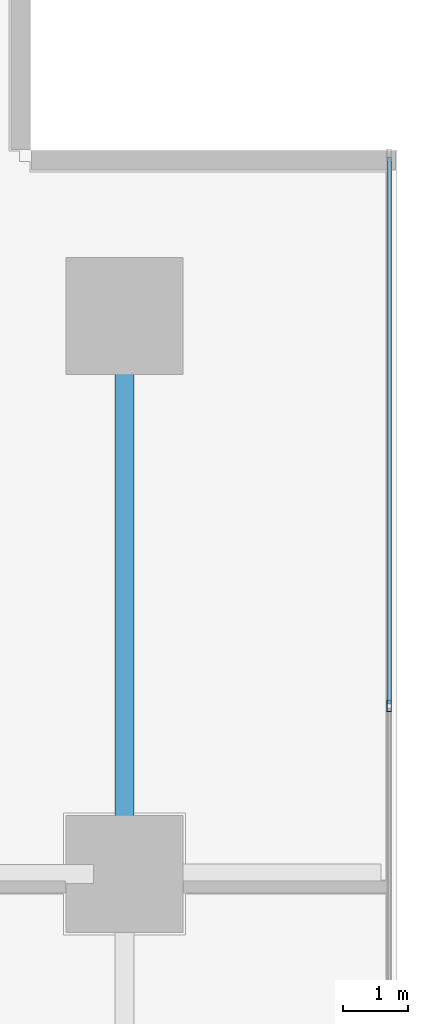
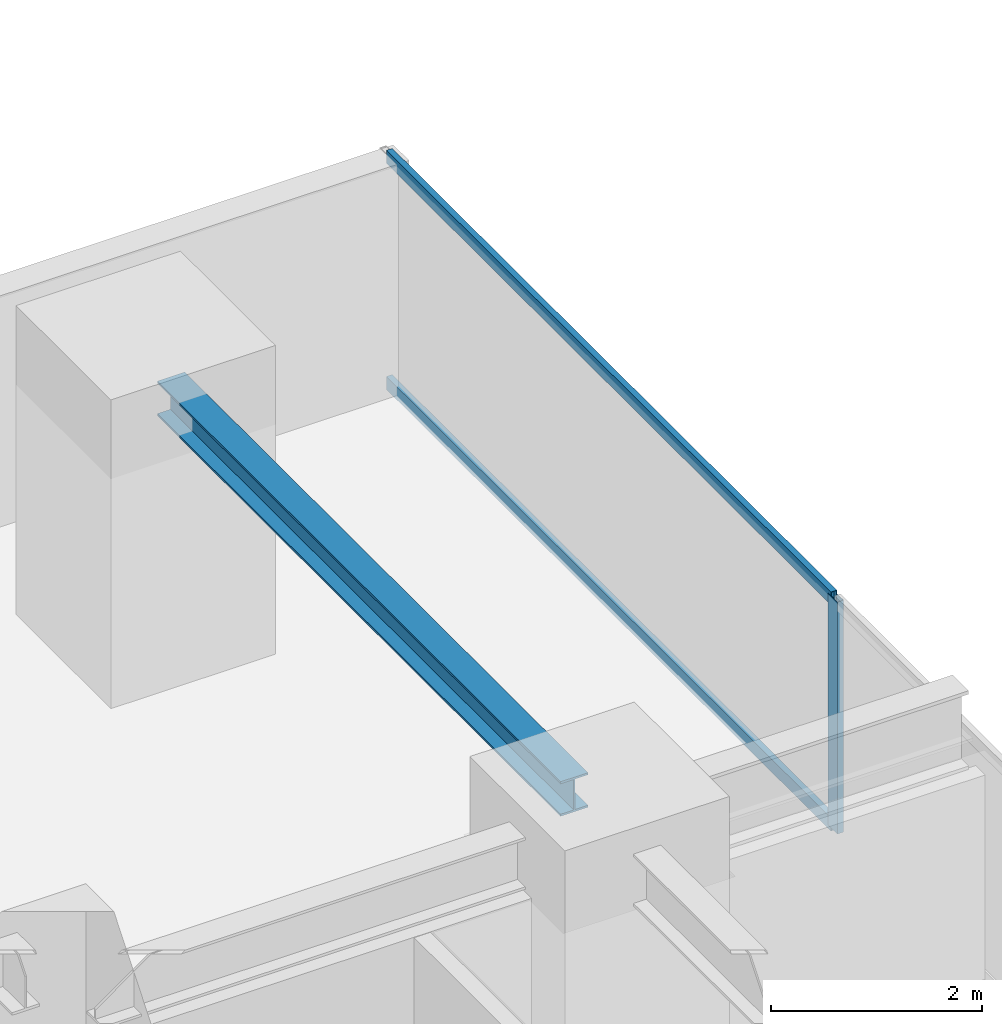
# One storey, part 21 of 33: 3 members, 1 beam, 1 element without a shape of its own.
"""IFC4 building model written with IfcOpenShell, lengths in metres."""

from ifc_helpers import new_model, si_unit, direction, frame, origin, origin_2d, place, context, subcontext, project, spatial, hollow_rectangle, i_section, extrude, source, transform, mapped, material, layer, layer_set, material_profile, profile_set, type_object, element, aggregate, save


model = new_model("IFC4")

# Units and contexts
model_context = context("Model", 3, precision=1e-05, world=origin(), true_north=direction((0.0, 1.0)))
body_context = subcontext(model_context, "Body", "Model", "MODEL_VIEW")
ifc_project = project(units=[si_unit("LENGTHUNIT", "METRE"), si_unit("AREAUNIT", "SQUARE_METRE"), si_unit("VOLUMEUNIT", "CUBIC_METRE"), si_unit("PLANEANGLEUNIT", "RADIAN"), si_unit("MASSUNIT", "GRAM", prefix="KILO")], contexts=[model_context])

# Site, building, storey
site_placement = place(None, origin())
site = spatial("IfcSite", under=ifc_project, at=site_placement, CompositionType="ELEMENT")
building_placement = place(site_placement, origin())
building = spatial("IfcBuilding", under=site, at=building_placement, Name="Sumidabori Civic Tower", CompositionType="ELEMENT")
storey_placement = place(building_placement, frame((0.0, 0.0, 66.800048828125)))
storey = spatial("IfcBuildingStorey", under=building, at=storey_placement, Name="L17", CompositionType="ELEMENT", Elevation=66.800048828125)

# Beam
ifc_material_1 = material(Name="Steel SN490", Category="steel")
ifc_material_profile_1 = material_profile(ifc_material_1, i_section(OverallWidth=0.300048828125, OverallDepth=0.39990234375, WebThickness=0.013427734375, FlangeThickness=0.02392578125, at=origin_2d()), Name="HE 400 B")
ifc_profile_set_1 = profile_set([ifc_material_profile_1], Name="Steel SN490")
beam_type = type_object("IfcBeamType", Name="BM-GIRD-400", PredefinedType="BEAM", material=ifc_profile_set_1)
shared_shape_1 = source(origin(), body_context, "Body", "SweptSolid", [
    extrude(i_section(OverallWidth=0.300048828125, OverallDepth=0.39990234375, WebThickness=0.013427734375, FlangeThickness=0.02392578125, at=origin_2d()), origin(), (0.0, 0.0, 1.0), 7.64013671875),
])
beam_placement = place(storey_placement, frame((22.800048828125, 10.679931640625, 3.099853515625), z_axis=(0.0, 1.0, 0.0), x_axis=(-1.0, 0.0, 0.0)))
element("IfcBeam", 1, at=beam_placement, inside=storey, type_object=beam_type, Name="Primary Girder L17 GY-42", PredefinedType="BEAM", context=body_context, shape_type="MappedRepresentation", body=[
    mapped(shared_shape_1, transform((0.0, 0.0, 0.0), x_axis=(1.0, 0.0, 0.0), y_axis=(0.0, 1.0, 0.0), z_axis=(0.0, 0.0, 1.0), scale=1.0)),
])

# Curtain wall, members
ifc_material_2 = material(Name="Anodised Bronze Aluminium AW-6063-T6", Category="aluminium")
ifc_layer = layer(ifc_material_2, 0.179931640625, Name="Anodised Bronze Aluminium AW-6063-T6")
ifc_layer_set = layer_set([ifc_layer], Name="Anodised Bronze Aluminium AW-6063-T6")
curtain_wall_type = type_object("IfcCurtainWallType", Name="CW-SYS-2", PredefinedType="NOTDEFINED", material=ifc_layer_set)
curtain_wall_placement = place(storey_placement, origin())
curtain_wall = element("IfcCurtainWall", 2, at=curtain_wall_placement, inside=storey, type_object=curtain_wall_type, Name="Curtain Wall CW:L17:R04", PredefinedType="NOTDEFINED")
ifc_material_profile_2 = material_profile(ifc_material_2, hollow_rectangle(XDim=0.06494140625, YDim=0.14990234375, WallThickness=0.0048828125, at=origin_2d()), Name="ALU TRANSOM 150x65")
ifc_profile_set_2 = profile_set([ifc_material_profile_2], Name="Anodised Bronze Aluminium AW-6063-T6")
member_type_1 = type_object("IfcMemberType", Name="CW-TRN-150", PredefinedType="USERDEFINED", material=ifc_profile_set_2)
shared_shape_2 = source(origin(), body_context, "Body", "SweptSolid", [
    extrude(hollow_rectangle(XDim=0.06494140625, YDim=0.14990234375, WallThickness=0.0048828125, at=origin_2d()), origin(), (0.0, 0.0, 1.0), 8.423095703125),
])
member_1_placement = place(storey_placement, frame((26.8798828125, 12.826904296875, 0.032470703125), z_axis=(0.0, 1.0, 0.0), x_axis=(-1.0, 0.0, 0.0)))
member_1 = element("IfcMember", 3, at=member_1_placement, type_object=member_type_1, Name="CW-2 transom 5.1", ObjectType="TRANSOM", PredefinedType="USERDEFINED", context=body_context, shape_type="MappedRepresentation", body=[
    mapped(shared_shape_2, transform((0.0, 0.0, 0.0), x_axis=(1.0, 0.0, 0.0), y_axis=(0.0, 1.0, 0.0), z_axis=(0.0, 0.0, 1.0), scale=1.0)),
])
member_2_placement = place(storey_placement, frame((26.8798828125, 12.826904296875, 2.6474609375), z_axis=(0.0, 1.0, 0.0), x_axis=(-1.0, 0.0, 0.0)))
member_2 = element("IfcMember", 4, at=member_2_placement, type_object=member_type_1, Name="CW-2 transom 5.2", ObjectType="TRANSOM", PredefinedType="USERDEFINED", context=body_context, shape_type="MappedRepresentation", body=[
    mapped(shared_shape_2, transform((0.0, 0.0, 0.0), x_axis=(1.0, 0.0, 0.0), y_axis=(0.0, 1.0, 0.0), z_axis=(0.0, 0.0, 1.0), scale=1.0)),
])
ifc_material_profile_3 = material_profile(ifc_material_2, hollow_rectangle(XDim=0.070068359375, YDim=0.179931640625, WallThickness=0.006103515625, at=origin_2d()), Name="ALU MULLION 180x70")
ifc_profile_set_3 = profile_set([ifc_material_profile_3], Name="Anodised Bronze Aluminium AW-6063-T6")
member_type_2 = type_object("IfcMemberType", Name="CW-MUL-180", PredefinedType="MULLION", material=ifc_profile_set_3)
shared_shape_3 = source(origin(), body_context, "Body", "SweptSolid", [
    extrude(hollow_rectangle(XDim=0.070068359375, YDim=0.179931640625, WallThickness=0.006103515625, at=origin_2d()), origin(), (0.0, 0.0, 1.0), 2.679931640625),
])
member_3_placement = place(storey_placement, frame((26.8798828125, 12.7919921875, 0.0), z_axis=(0.0, 0.0, 1.0), x_axis=(-1.0, 0.0, 0.0)))
member_3 = element("IfcMember", 5, at=member_3_placement, type_object=member_type_2, Name="CW-2 mullion 5", PredefinedType="MULLION", context=body_context, shape_type="MappedRepresentation", body=[
    mapped(shared_shape_3, transform((0.0, 0.0, 0.0), x_axis=(1.0, 0.0, 0.0), y_axis=(0.0, 1.0, 0.0), z_axis=(0.0, 0.0, 1.0), scale=1.0)),
])
aggregate(curtain_wall, [member_3, member_1, member_2])

save(model, "model.ifc")
